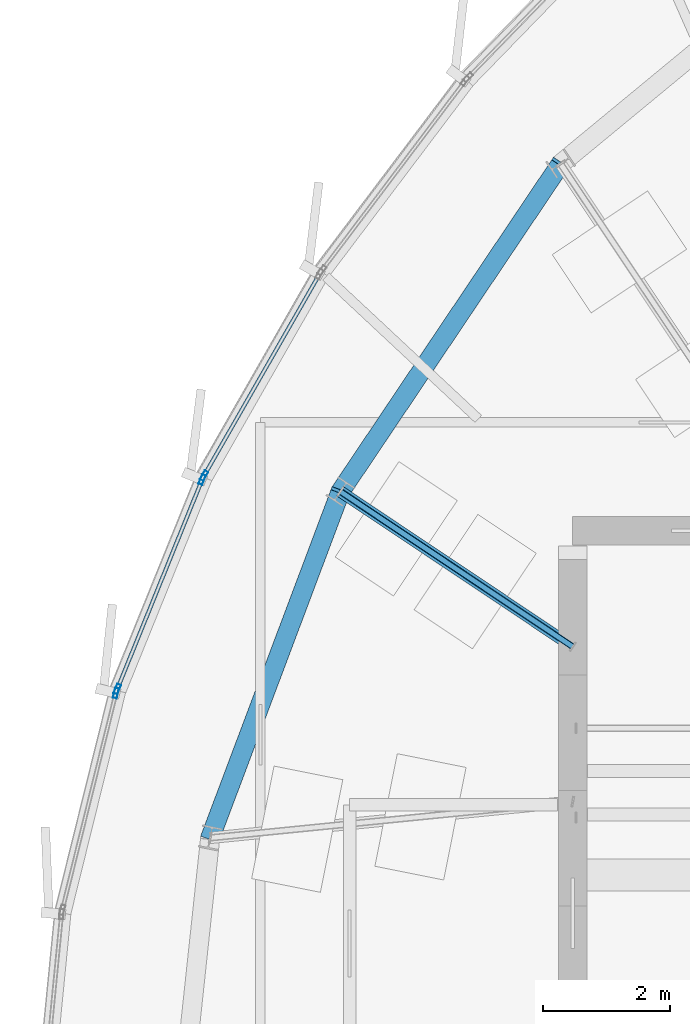
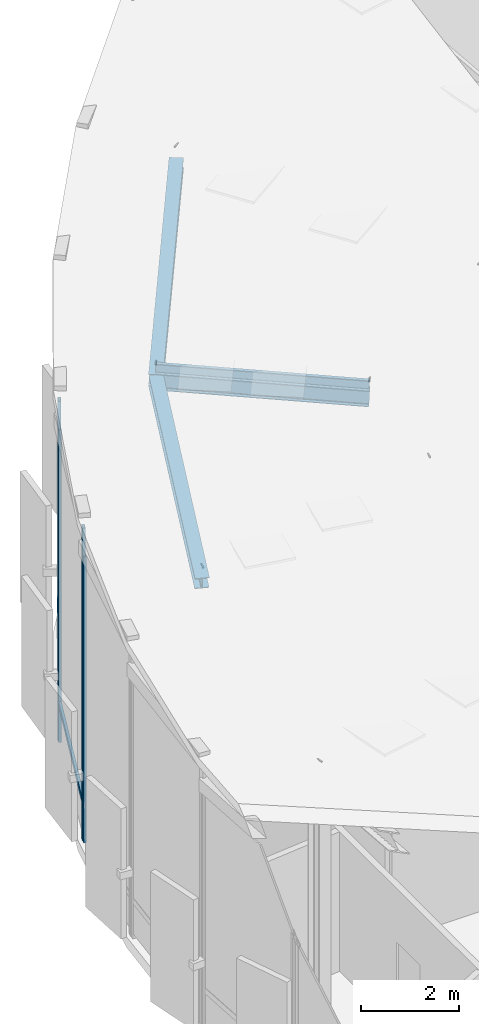
# One storey, part 12 of 36: 7 members, 3 beams, 3 elements without a shape of their own.
"""IFC4 building model written with IfcOpenShell, lengths in metres."""

from ifc_helpers import new_model, si_unit, direction, frame, origin, origin_2d, place, context, subcontext, project, spatial, hollow_rectangle, i_section, extrude, source, transform, mapped, material, layer, layer_set, material_profile, profile_set, type_object, element, aggregate, save


model = new_model("IFC4")

# Units and contexts
model_context = context("Model", 3, precision=1e-05, world=origin(), true_north=direction((0.0, 1.0)))
body_context = subcontext(model_context, "Body", "Model", "MODEL_VIEW")
ifc_project = project(units=[si_unit("LENGTHUNIT", "METRE"), si_unit("AREAUNIT", "SQUARE_METRE"), si_unit("VOLUMEUNIT", "CUBIC_METRE"), si_unit("PLANEANGLEUNIT", "RADIAN"), si_unit("MASSUNIT", "GRAM", prefix="KILO"), si_unit("THERMODYNAMICTEMPERATUREUNIT", "KELVIN")], contexts=[model_context])

# Site, building, storey
site_placement = place(None, origin())
site = spatial("IfcSite", under=ifc_project, at=site_placement, CompositionType="ELEMENT")
building_placement = place(site_placement, origin())
building = spatial("IfcBuilding", under=site, at=building_placement, Name="Kethvar Cultural Tower", CompositionType="ELEMENT")
storey_placement = place(building_placement, frame((0.0, 0.0, 324.300048828125)))
storey = spatial("IfcBuildingStorey", under=building, at=storey_placement, Name="L86", CompositionType="ELEMENT", Elevation=324.300048828125)

# Beams
ifc_material_1 = material(Name="Steel S355J2", Category="steel")
ifc_material_profile_1 = material_profile(ifc_material_1, i_section(OverallWidth=0.300048828125, OverallDepth=0.300048828125, WebThickness=0.010986328125, FlangeThickness=0.01904296875, FilletRadius=0.027099609375, at=origin_2d()), Name="Steel S355J2 — HEB300")
ifc_profile_set_1 = profile_set([ifc_material_profile_1], Name="Steel S355J2 — HEB300")
beam_type_1 = type_object("IfcBeamType", Name="BM-SP300", PredefinedType="SPANDREL", material=ifc_profile_set_1)
shared_shape_1 = source(origin(), body_context, "Body", "SweptSolid", [
    extrude(i_section(OverallWidth=0.300048828125, OverallDepth=0.300048828125, WebThickness=0.010986328125, FlangeThickness=0.01904296875, FilletRadius=0.027099609375, at=origin_2d()), origin(), (0.0, 0.0, 1.0), 6.289794921875),
])
beam_1_placement = place(storey_placement, frame((37.8095703125, 41.255126953125, 9.46337890625), z_axis=(-0.549075716508, -0.817209114617, -0.175171688718), x_axis=(0.830043326295, -0.557698912025, 0.0)))
element("IfcBeam", 1, at=beam_1_placement, inside=storey, type_object=beam_type_1, Name="Crown Sloped Eave Ring Beam SP-06", PredefinedType="SPANDREL", context=body_context, shape_type="MappedRepresentation", body=[
    mapped(shared_shape_1, transform((0.0, 0.0, 0.0), scale=1.0)),
])
ifc_material_profile_2 = material_profile(ifc_material_1, i_section(OverallWidth=0.179931640625, OverallDepth=0.39990234375, WebThickness=0.008544921875, FlangeThickness=0.013427734375, FilletRadius=0.02099609375, at=origin_2d()), Name="Steel S355J2 — IPE400")
ifc_profile_set_2 = profile_set([ifc_material_profile_2], Name="Steel S355J2 — IPE400")
beam_type_2 = type_object("IfcBeamType", Name="BM-IPE400", PredefinedType="BEAM", material=ifc_profile_set_2)
shared_shape_2 = source(origin(), body_context, "Body", "SweptSolid", [
    extrude(i_section(OverallWidth=0.179931640625, OverallDepth=0.39990234375, WebThickness=0.008544921875, FlangeThickness=0.013427734375, FilletRadius=0.02099609375, at=origin_2d()), origin(), (0.0, 0.0, 1.0), 4.38818359375),
])
beam_2_placement = place(storey_placement, frame((38.0, 33.679931640625, 8.141357421875), z_axis=(-0.830402339745, 0.554899700966, 0.050182427338), x_axis=(-0.555599718676, -0.831449909861, 0.0)))
element("IfcBeam", 2, at=beam_2_placement, inside=storey, type_object=beam_type_2, Name="Crown Sloped Radial Rafter RB-07", PredefinedType="BEAM", context=body_context, shape_type="MappedRepresentation", body=[
    mapped(shared_shape_2, transform((0.0, 0.0, 0.0), scale=1.0)),
])
shared_shape_3 = source(origin(), body_context, "Body", "SweptSolid", [
    extrude(i_section(OverallWidth=0.300048828125, OverallDepth=0.300048828125, WebThickness=0.010986328125, FlangeThickness=0.01904296875, FilletRadius=0.027099609375, at=origin_2d()), origin(), (0.0, 0.0, 1.0), 5.903076171875),
])
beam_3_placement = place(storey_placement, frame((34.35595703125, 36.114990234375, 8.361572265625), z_axis=(-0.346173902915, -0.920400721083, -0.181730959308), x_axis=(0.935986497283, -0.352035902861, 0.0)))
element("IfcBeam", 3, at=beam_3_placement, inside=storey, type_object=beam_type_1, Name="Crown Sloped Eave Ring Beam SP-07", PredefinedType="SPANDREL", context=body_context, shape_type="MappedRepresentation", body=[
    mapped(shared_shape_3, transform((0.0, 0.0, 0.0), scale=1.0)),
])

# Member
ifc_material_profile_3 = material_profile(ifc_material_1, hollow_rectangle(XDim=0.10009765625, YDim=0.199951171875, WallThickness=0.008056640625, InnerFilletRadius=0.008056640625, OuterFilletRadius=0.01611328125, at=origin_2d()), Name="Steel S355J2 — RHS200x100x8")
ifc_profile_set_3 = profile_set([ifc_material_profile_3], Name="Steel S355J2 — RHS200x100x8")
member_type_1 = type_object("IfcMemberType", Name="MB-GLAZ-200", PredefinedType="PURLIN", material=ifc_profile_set_3)
shared_shape_4 = source(origin(), body_context, "Body", "SweptSolid", [
    extrude(hollow_rectangle(XDim=0.10009765625, YDim=0.199951171875, WallThickness=0.008056640625, InnerFilletRadius=0.008056640625, OuterFilletRadius=0.01611328125, at=origin_2d()), origin(), (0.0, 0.0, 1.0), 4.38818359375),
])
member_1_placement = place(storey_placement, frame((38.0, 33.679931640625, 8.46142578125), z_axis=(-0.830402339745, 0.554899700966, 0.050182427338), x_axis=(-0.555599718676, -0.831449909861, 0.0)))
element("IfcMember", 4, at=member_1_placement, inside=storey, type_object=member_type_1, Name="Sloped Crown Skylight Glazing Mullion Bar GB-07", PredefinedType="PURLIN", context=body_context, shape_type="MappedRepresentation", body=[
    mapped(shared_shape_4, transform((0.0, 0.0, 0.0), scale=1.0)),
])

# Curtain wall, members
ifc_material_2 = material(Name="Aluminium 6063-T6", Category="aluminium")
ifc_layer = layer(ifc_material_2, 0.179931640625, Name="Aluminium 6063-T6", Category="aluminium")
ifc_layer_set = layer_set([ifc_layer], Name="Aluminium 6063-T6 (180 mm)")
curtain_wall_type = type_object("IfcCurtainWallType", Name="CW-SYS-06-CROWN", PredefinedType="NOTDEFINED", material=ifc_layer_set)
curtain_wall_1_placement = place(storey_placement, origin())
curtain_wall_1 = element("IfcCurtainWall", 5, at=curtain_wall_1_placement, inside=storey, type_object=curtain_wall_type, Name="L86 Curtain Wall Run 08", PredefinedType="NOTDEFINED")
ifc_material_profile_4 = material_profile(ifc_material_2, hollow_rectangle(XDim=0.06494140625, YDim=0.159912109375, WallThickness=0.0048828125, at=origin_2d()), Name="Aluminium 6063-T6 — RHS160x65x5")
ifc_profile_set_4 = profile_set([ifc_material_profile_4], Name="Aluminium 6063-T6 — RHS160x65x5")
member_type_2 = type_object("IfcMemberType", Name="CW-SYS-06-CROWN-MUL", PredefinedType="MULLION", material=ifc_profile_set_4)
shared_shape_5 = source(origin(), body_context, "Body", "SweptSolid", [
    extrude(hollow_rectangle(XDim=0.06494140625, YDim=0.159912109375, WallThickness=0.0048828125, at=origin_2d()), origin(), (0.0, 0.0, 1.0), 8.479736328125),
])
member_2_placement = place(storey_placement, frame((32.216064453125, 36.3623046875, 0.0), z_axis=(0.0, 0.0, 1.0), x_axis=(0.867774127069, -0.496958815588, 0.0)))
member_2 = element("IfcMember", 6, at=member_2_placement, type_object=member_type_2, Name="CW-L86-R08 Mullion 2", PredefinedType="MULLION", context=body_context, shape_type="MappedRepresentation", body=[
    mapped(shared_shape_5, transform((0.0, 0.0, 0.0), scale=1.0)),
])
ifc_material_profile_5 = material_profile(ifc_material_2, hollow_rectangle(XDim=0.06005859375, YDim=0.139892578125, WallThickness=0.0048828125, at=origin_2d()), Name="Aluminium 6063-T6 — RHS140x60x5")
ifc_profile_set_5 = profile_set([ifc_material_profile_5], Name="Aluminium 6063-T6 — RHS140x60x5")
member_type_3 = type_object("IfcMemberType", Name="CW-SYS-06-CROWN-TRN", PredefinedType="USERDEFINED", material=ifc_profile_set_5)
shared_shape_6 = source(origin(), body_context, "Body", "SweptSolid", [
    extrude(hollow_rectangle(XDim=0.06005859375, YDim=0.139892578125, WallThickness=0.0048828125, at=origin_2d()), origin(), (0.0, 0.0, 1.0), 3.634765625),
])
member_3_placement = place(storey_placement, frame((34.024658203125, 39.5205078125, 0.949951171875), z_axis=(-0.496985034781, -0.867759111277, 0.0), x_axis=(0.867759111277, -0.496985034781, 0.0)))
member_3 = element("IfcMember", 7, at=member_3_placement, type_object=member_type_3, Name="CW-L86-R08 Transom 1", ObjectType="TRANSOM", PredefinedType="USERDEFINED", context=body_context, shape_type="MappedRepresentation", body=[
    mapped(shared_shape_6, transform((0.0, 0.0, 0.0), scale=1.0)),
])
aggregate(curtain_wall_1, [member_2, member_3])

curtain_wall_2_placement = place(storey_placement, origin())
curtain_wall_2 = element("IfcCurtainWall", 8, at=curtain_wall_2_placement, inside=storey, type_object=curtain_wall_type, Name="L86 Curtain Wall Run 09", PredefinedType="NOTDEFINED")
shared_shape_7 = source(origin(), body_context, "Body", "SweptSolid", [
    extrude(hollow_rectangle(XDim=0.06494140625, YDim=0.159912109375, WallThickness=0.0048828125, at=origin_2d()), origin(), (0.0, 0.0, 1.0), 7.81005859375),
])
member_4_placement = place(storey_placement, frame((32.186279296875, 36.30126953125, 0.0), z_axis=(0.0, 0.0, 1.0), x_axis=(0.926804168703, -0.37554498116, 0.0)))
member_4 = element("IfcMember", 9, at=member_4_placement, type_object=member_type_2, Name="CW-L86-R09 Mullion 1", PredefinedType="MULLION", context=body_context, shape_type="MappedRepresentation", body=[
    mapped(shared_shape_7, transform((0.0, 0.0, 0.0), scale=1.0)),
])
member_5_placement = place(storey_placement, frame((30.855224609375, 33.01611328125, 0.0), z_axis=(0.0, 0.0, 1.0), x_axis=(0.926804168703, -0.37554498116, 0.0)))
member_5 = element("IfcMember", 10, at=member_5_placement, type_object=member_type_2, Name="CW-L86-R09 Mullion 2", PredefinedType="MULLION", context=body_context, shape_type="MappedRepresentation", body=[
    mapped(shared_shape_7, transform((0.0, 0.0, 0.0), scale=1.0)),
])
shared_shape_8 = source(origin(), body_context, "Body", "SweptSolid", [
    extrude(hollow_rectangle(XDim=0.06005859375, YDim=0.139892578125, WallThickness=0.0048828125, at=origin_2d()), origin(), (0.0, 0.0, 1.0), 3.535400390625),
])
member_6_placement = place(storey_placement, frame((32.1845703125, 36.297119140625, 0.949951171875), z_axis=(-0.375530380791, -0.926810084701, 0.0), x_axis=(0.926810084701, -0.375530380791, 0.0)))
member_6 = element("IfcMember", 11, at=member_6_placement, type_object=member_type_3, Name="CW-L86-R09 Transom 1", ObjectType="TRANSOM", PredefinedType="USERDEFINED", context=body_context, shape_type="MappedRepresentation", body=[
    mapped(shared_shape_8, transform((0.0, 0.0, 0.0), scale=1.0)),
])
aggregate(curtain_wall_2, [member_4, member_5, member_6])

# Curtain wall, member
curtain_wall_3_placement = place(storey_placement, origin())
curtain_wall_3 = element("IfcCurtainWall", 12, at=curtain_wall_3_placement, inside=storey, type_object=curtain_wall_type, Name="L86 Curtain Wall Run 10", PredefinedType="NOTDEFINED")
shared_shape_9 = source(origin(), body_context, "Body", "SweptSolid", [
    extrude(hollow_rectangle(XDim=0.06494140625, YDim=0.159912109375, WallThickness=0.0048828125, at=origin_2d()), origin(), (0.0, 0.0, 1.0), 7.147705078125),
])
member_7_placement = place(storey_placement, frame((30.83447265625, 32.952392578125, 0.0), z_axis=(0.0, 0.0, 1.0), x_axis=(0.970724866527, -0.240194157934, 0.0)))
member_7 = element("IfcMember", 13, at=member_7_placement, type_object=member_type_2, Name="CW-L86-R10 Mullion 1", PredefinedType="MULLION", context=body_context, shape_type="MappedRepresentation", body=[
    mapped(shared_shape_9, transform((0.0, 0.0, 0.0), scale=1.0)),
])
aggregate(curtain_wall_3, [member_7])

save(model, "model.ifc")
